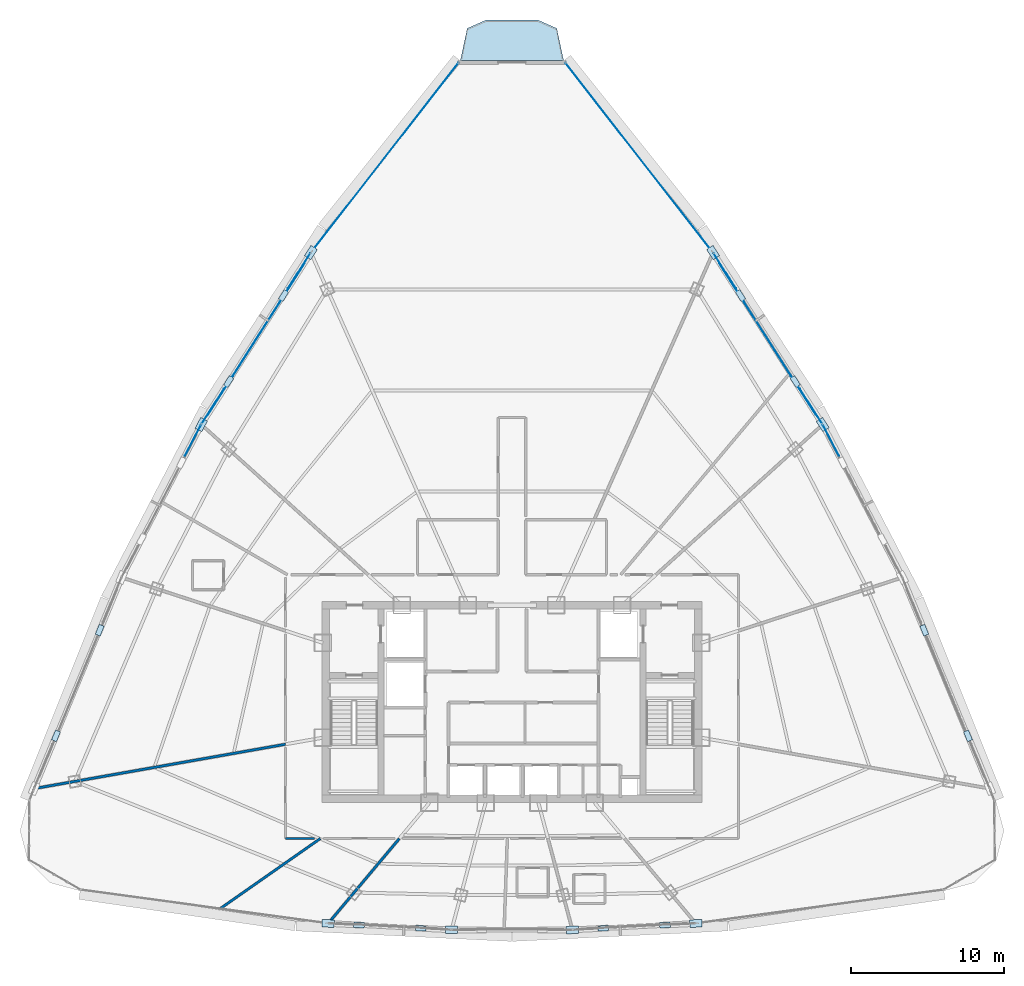
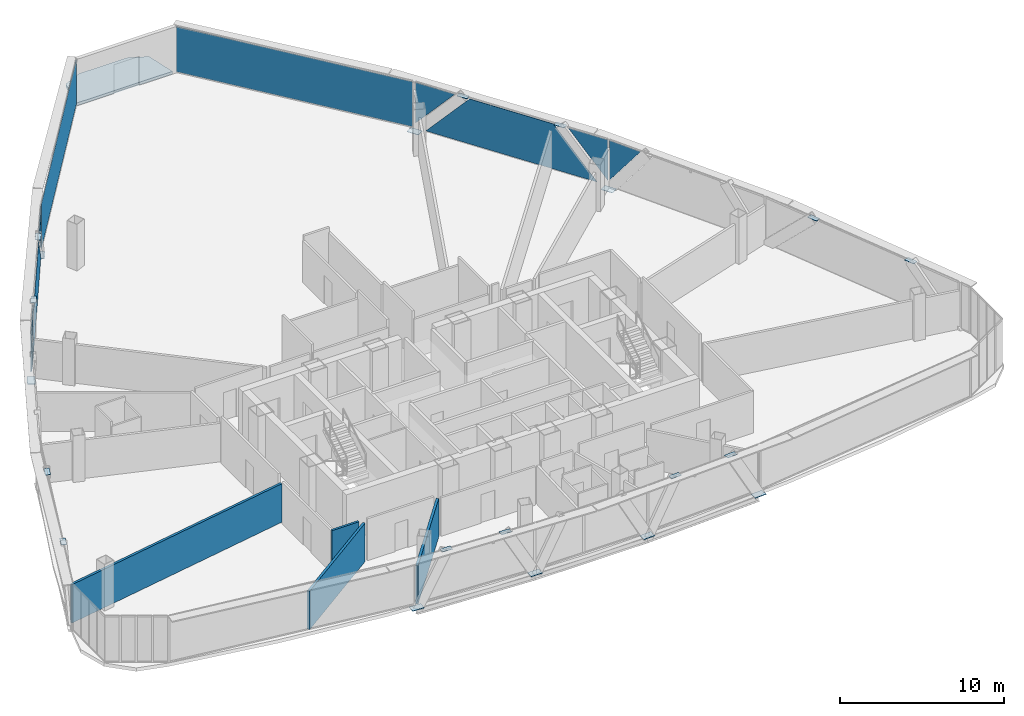
# One storey, part 33 of 40: 30 plates, 4 walls, 1 slab, 6 elements without a shape of their own.
"""IFC4 building model written with IfcOpenShell, lengths in metres."""

import ifcopenshell
import ifcopenshell.guid

model = None  # the IFC model being written
_history = None  # IfcOwnerHistory: only IFC2X3 demands one
_inside = {}  # id of a spatial element -> (the spatial element, [elements in it])
_under = {}  # id of a project, library or spatial element -> (it, [spatial elements below it])
_declared = {}  # id of a project -> (the project, [libraries it declares])
_typed = {}  # id of a type object -> (the type object, [elements of that type])
_made_of = {}  # id of a material, layer set ... -> (it, [elements and type objects made of it])


def new_model(schema):
    """Start an empty IFC model of exactly this schema.

    Asked for "IFC4X3", IfcOpenShell would pick the latest addendum, in which some entities
    have other attributes; the version numbers below select the first issue.
    IFC2X3 requires an IfcOwnerHistory on every rooted entity: one is made here for all.
    """
    global model, _history
    if schema == "IFC4X3":
        model = ifcopenshell.file(schema_version=(4, 3, 0, 0))
    else:
        model = ifcopenshell.file(schema=schema)
    _inside.clear()
    _under.clear()
    _declared.clear()
    _typed.clear()
    _made_of.clear()
    _history = None
    if model.schema == "IFC2X3":
        org = make("IfcOrganization", Name="unknown")
        user = make(
            "IfcPersonAndOrganization",
            ThePerson=make("IfcPerson", FamilyName="unknown"),
            TheOrganization=org,
        )
        app = make(
            "IfcApplication",
            ApplicationDeveloper=org,
            Version="unknown",
            ApplicationFullName="unknown",
            ApplicationIdentifier="unknown",
        )
        _history = make(
            "IfcOwnerHistory",
            OwningUser=user,
            OwningApplication=app,
            ChangeAction="ADDED",
            CreationDate=0,
        )
    return model


def make(cls, **values):
    """One entity of the class cls with the attributes given. An attribute that is None is left unset."""
    return model.create_entity(
        cls, **{name: value for name, value in values.items() if value is not None}
    )


def rooted(cls, **values):
    """An entity with a GlobalId (a new one), such as an element, a storey or a relation."""
    return make(cls, GlobalId=ifcopenshell.guid.new(), OwnerHistory=_history, **values)


def si_unit(unit_type, name, prefix=None):
    """IfcSIUnit, for example si_unit("LENGTHUNIT", "METRE", prefix="MILLI")."""
    return make("IfcSIUnit", UnitType=unit_type, Prefix=prefix, Name=name)


def assignment(units):
    """IfcUnitAssignment: the units of a project."""
    return None if units is None else make("IfcUnitAssignment", Units=units)


def point(xyz):
    """IfcCartesianPoint."""
    return None if xyz is None else make("IfcCartesianPoint", Coordinates=xyz)


def direction(xyz):
    """IfcDirection."""
    return None if xyz is None else make("IfcDirection", DirectionRatios=xyz)


def frame(location, z_axis=None, x_axis=None):
    """IfcAxis2Placement3D, a coordinate frame: its origin and axes. An axis left out is left unset."""
    return make(
        "IfcAxis2Placement3D",
        Location=point(location),
        Axis=direction(z_axis),
        RefDirection=direction(x_axis),
    )


def frame_2d(location, x_axis=None):
    """IfcAxis2Placement2D, a coordinate frame in the plane: its origin and x axis."""
    return make(
        "IfcAxis2Placement2D", Location=point(location), RefDirection=direction(x_axis)
    )


def origin():
    """The frame at (0, 0, 0) with its axes left unset."""
    return frame((0.0, 0.0, 0.0))


def origin_2d():
    """The frame at (0, 0) in the plane with its x axis left unset."""
    return frame_2d((0.0, 0.0))


def place(relative_to, where):
    """IfcLocalPlacement: puts the frame where relative to a parent placement (None: the world)."""
    return make(
        "IfcLocalPlacement", PlacementRelTo=relative_to, RelativePlacement=where
    )


def context(
    kind, dimensions, precision=None, world=None, true_north=None, identifier=None
):
    """IfcGeometricRepresentationContext, for example the 3D "Model" context."""
    return make(
        "IfcGeometricRepresentationContext",
        ContextIdentifier=identifier,
        ContextType=kind,
        CoordinateSpaceDimension=dimensions,
        Precision=precision,
        WorldCoordinateSystem=world,
        TrueNorth=true_north,
    )


def subcontext(parent, identifier, kind, view, scale=None):
    """IfcGeometricRepresentationSubContext, for example "Body" below "Model"."""
    return make(
        "IfcGeometricRepresentationSubContext",
        ContextIdentifier=identifier,
        ContextType=kind,
        ParentContext=parent,
        TargetScale=scale,
        TargetView=view,
    )


def project(units=None, contexts=None):
    """IfcProject with its units and contexts."""
    return rooted(
        "IfcProject",
        Name="project",
        RepresentationContexts=contexts,
        UnitsInContext=assignment(units),
    )


def spatial(cls, under=None, at=None, **own):
    """A site, building, storey or space (cls), placed at a placement, below another one or the project."""
    s = rooted(cls, ObjectPlacement=at, **own)
    if under is not None:
        _under.setdefault(under.id(), (under, []))[1].append(s)
    return s


def polyline(points):
    """IfcPolyline through the points."""
    return make("IfcPolyline", Points=[point(p) for p in points])


def profile(cls, at=None, kind="AREA", **sizes):
    """A parametric profile (cls). Its sizes go by their IFC names, for example OverallWidth=200.0."""
    return make(cls, ProfileType=kind, Position=at, **sizes)


def rectangle(**sizes):
    """IfcRectangleProfileDef."""
    return profile("IfcRectangleProfileDef", **sizes)


def outline(outer, holes=None, kind="AREA"):
    """IfcArbitraryClosedProfileDef: a profile drawn as a closed curve; with holes, ...WithVoids."""
    if holes is None:
        return make("IfcArbitraryClosedProfileDef", ProfileType=kind, OuterCurve=outer)
    return make(
        "IfcArbitraryProfileDefWithVoids",
        ProfileType=kind,
        OuterCurve=outer,
        InnerCurves=holes,
    )


def extrude(swept, where, along, depth):
    """IfcExtrudedAreaSolid: the profile swept, set in the frame where, extruded along a direction by depth."""
    return make(
        "IfcExtrudedAreaSolid",
        SweptArea=swept,
        Position=where,
        ExtrudedDirection=direction(along),
        Depth=depth,
    )


def shape(context_of_items, identifier, shape_type, items):
    """IfcShapeRepresentation: the items that make up one representation, for example the "Body"."""
    return make(
        "IfcShapeRepresentation",
        ContextOfItems=context_of_items,
        RepresentationIdentifier=identifier,
        RepresentationType=shape_type,
        Items=items,
    )


def source(mapping_origin, context_of_items, identifier, shape_type, items):
    """IfcRepresentationMap: a shape defined once, which mapped items show again and again."""
    return make(
        "IfcRepresentationMap",
        MappingOrigin=mapping_origin,
        MappedRepresentation=shape(context_of_items, identifier, shape_type, items),
    )


def transform(
    local_origin,
    x_axis=None,
    y_axis=None,
    z_axis=None,
    scale=None,
    scale2=None,
    scale3=None,
    uniform=True,
):
    """IfcCartesianTransformationOperator3D, or its non-uniform kind. x_axis, y_axis, z_axis: its Axis1, 2, 3."""
    if uniform:
        return make(
            "IfcCartesianTransformationOperator3D",
            Axis1=direction(x_axis),
            Axis2=direction(y_axis),
            LocalOrigin=point(local_origin),
            Scale=scale,
            Axis3=direction(z_axis),
        )
    return make(
        "IfcCartesianTransformationOperator3DnonUniform",
        Axis1=direction(x_axis),
        Axis2=direction(y_axis),
        LocalOrigin=point(local_origin),
        Scale=scale,
        Axis3=direction(z_axis),
        Scale2=scale2,
        Scale3=scale3,
    )


def mapped(mapping_source, mapping_target):
    """IfcMappedItem: shows the shape of a source again, moved by a transform."""
    return make(
        "IfcMappedItem", MappingSource=mapping_source, MappingTarget=mapping_target
    )


def material(Name=None, Category=None):
    """IfcMaterial."""
    return make("IfcMaterial", Name=Name, Category=Category)


def layer(
    of_material, thickness, ventilated=None, Name=None, Category=None, Priority=None
):
    """IfcMaterialLayer: one layer of a wall or slab, of a material (None: an air gap)."""
    return make(
        "IfcMaterialLayer",
        Material=of_material,
        LayerThickness=thickness,
        IsVentilated=ventilated,
        Name=Name,
        Category=Category,
        Priority=Priority,
    )


def layer_set(layers, Name=None):
    """IfcMaterialLayerSet."""
    return make("IfcMaterialLayerSet", MaterialLayers=layers, LayerSetName=Name)


def made_of(thing, what):
    """Note that an element or type object is made of a material, layer set ...; save() writes the relation."""
    if what is not None:
        _made_of.setdefault(what.id(), (what, []))[1].append(thing)
    return thing


def type_object(cls, material=None, **own):
    """A type object (cls), such as IfcWallType, which elements share."""
    return made_of(rooted(cls, **own), material)


def element(
    cls,
    number,
    at=None,
    inside=None,
    cuts=None,
    type_object=None,
    material=None,
    context=None,
    identifier="Body",
    shape_type=None,
    held_by="IfcProductDefinitionShape",
    body=None,
    shapes=None,
    **own,
):
    """One element of the class cls, such as IfcWall. Its Tag is "e" and its number.

    at: its placement. inside: the storey or other place that contains it. cuts: it is an
    opening in that element (IfcRelVoidsElement). A single representation is given by context,
    identifier, shape_type and body (its items); several are given by shapes. held_by: the class
    of the entity that holds the representations. save() writes the other relations.
    """
    e = rooted(cls, Tag="e%d" % number, ObjectPlacement=at, **own)
    if body is not None:
        shapes = [shape(context, identifier, shape_type, body)]
    if shapes is not None:
        e.Representation = make(held_by, Representations=shapes)
    if inside is not None:
        _inside.setdefault(inside.id(), (inside, []))[1].append(e)
    if cuts is not None:
        rooted(
            "IfcRelVoidsElement", RelatingBuildingElement=cuts, RelatedOpeningElement=e
        )
    if type_object is not None:
        _typed.setdefault(type_object.id(), (type_object, []))[1].append(e)
    return made_of(e, material)


def aggregate(whole, parts):
    """IfcRelAggregates: a whole, such as a stair, and the parts it consists of."""
    return rooted("IfcRelAggregates", RelatingObject=whole, RelatedObjects=parts)


def save(model, path):
    """Write the relations noted so far, then the file.

    IfcRelAggregates (storeys below a building ...), IfcRelContainedInSpatialStructure (elements
    in a storey), IfcRelDefinesByType, IfcRelAssociatesMaterial and IfcRelDeclares: one each for
    every whole, place, type object, material and project.
    """
    for whole, parts in _under.values():
        aggregate(whole, parts)
    for where, things in _inside.values():
        rooted(
            "IfcRelContainedInSpatialStructure",
            RelatedElements=things,
            RelatingStructure=where,
        )
    for kind, things in _typed.values():
        rooted("IfcRelDefinesByType", RelatedObjects=things, RelatingType=kind)
    for what, things in _made_of.values():
        rooted("IfcRelAssociatesMaterial", RelatedObjects=things, RelatingMaterial=what)
    for by, libraries in _declared.values():
        rooted("IfcRelDeclares", RelatingContext=by, RelatedDefinitions=libraries)
    model.write(path)


model = new_model("IFC4")

# Units and contexts
model_context = context("Model", 3, precision=1e-05, world=origin(), true_north=direction((0.0, 1.0)))
body_context = subcontext(model_context, "Body", "Model", "MODEL_VIEW")
ifc_project = project(units=[si_unit("LENGTHUNIT", "METRE"), si_unit("AREAUNIT", "SQUARE_METRE"), si_unit("VOLUMEUNIT", "CUBIC_METRE"), si_unit("PLANEANGLEUNIT", "RADIAN"), si_unit("MASSUNIT", "GRAM", prefix="KILO"), si_unit("THERMODYNAMICTEMPERATUREUNIT", "KELVIN"), si_unit("POWERUNIT", "WATT")], contexts=[model_context])

# Site, building, storey
site_placement = place(None, origin())
site = spatial("IfcSite", under=ifc_project, at=site_placement, CompositionType="ELEMENT")
building_placement = place(site_placement, origin())
building = spatial("IfcBuilding", under=site, at=building_placement, Name="Yunzhuo Pagoda Commons", CompositionType="ELEMENT")
storey_placement = place(building_placement, frame((0.0, 0.0, 288.75)))
storey = spatial("IfcBuildingStorey", under=building, at=storey_placement, Name="L72", CompositionType="ELEMENT", Elevation=288.75)

# Curtain wall, plate
ifc_material_1 = material(Name="Anodized aluminium 6063-T6", Category="aluminium")
ifc_layer_1 = layer(ifc_material_1, 0.139892578125)
ifc_layer_set_1 = layer_set([ifc_layer_1], Name="Anodized aluminium 6063-T6")
curtain_wall_type = type_object("IfcCurtainWallType", Name="CW-HI High-Zone Ribbon Curtain Wall", PredefinedType="NOTDEFINED", material=ifc_layer_set_1)
curtain_wall_1_placement = place(storey_placement, origin())
curtain_wall_1 = element("IfcCurtainWall", 1, at=curtain_wall_1_placement, inside=storey, type_object=curtain_wall_type, Name="L72 curtain wall CW-L72-F2B3", PredefinedType="NOTDEFINED")
ifc_material_2 = material(Name="Tempered low-e double glazing", Category="glass")
ifc_layer_2 = layer(ifc_material_2, 0.02587890625)
ifc_layer_set_2 = layer_set([ifc_layer_2], Name="Tempered low-e double glazing")
plate_type_1 = type_object("IfcPlateType", Name="CW-HI-P Low-E Double Glazing 26", PredefinedType="CURTAIN_PANEL", material=ifc_layer_set_2)
plate_1_placement = place(storey_placement, frame((68.90771484375, 50.9873046875, 1.931640625), z_axis=(0.886761092291, 0.462228044582, 0.0), x_axis=(-0.462228044582, 0.886761092291, 0.0)))
plate_1 = element("IfcPlate", 2, at=plate_1_placement, type_object=plate_type_1, Name="CW panel 1.1 lite 3", PredefinedType="CURTAIN_PANEL", context=body_context, shape_type="SweptSolid", body=[
    extrude(outline(polyline([(-1.1240234375, 1.4833984375), (1.1240234375, -1.4833984375), (1.1240234375, 1.4833984375), (-1.1240234375, 1.4833984375)])), origin(), (0.0, 0.0, 1.0), 0.028076171875),
])
aggregate(curtain_wall_1, [plate_1])

# Curtain wall, plates
curtain_wall_2_placement = place(storey_placement, origin())
curtain_wall_2 = element("IfcCurtainWall", 3, at=curtain_wall_2_placement, inside=storey, type_object=curtain_wall_type, Name="L72 curtain wall CW-L72-F2B4", PredefinedType="NOTDEFINED")
plate_2_placement = place(storey_placement, frame((67.59716796875, 53.235107421875, 1.895751953125), z_axis=(0.84332965014, 0.537396595816, 0.0), x_axis=(-0.537396595816, 0.84332965014, 0.0)))
plate_2 = element("IfcPlate", 4, at=plate_2_placement, type_object=plate_type_1, Name="CW panel 1.1 lite 1", PredefinedType="CURTAIN_PANEL", context=body_context, shape_type="SweptSolid", body=[
    extrude(outline(polyline([(-1.361572265625, -1.519287109375), (1.361572265625, 1.519287109375), (-1.361572265625, 1.519287109375), (-1.361572265625, -1.519287109375)])), origin(), (0.0, 0.0, 1.0), 0.028076171875),
])
plate_3_placement = place(storey_placement, frame((64.7431640625, 57.657958984375, 1.735107421875), z_axis=(0.84332965014, 0.537396595816, 0.0), x_axis=(-0.537396595816, 0.84332965014, 0.0)))
plate_3 = element("IfcPlate", 5, at=plate_3_placement, type_object=plate_type_1, Name="CW panel 1.1 lite 2", PredefinedType="CURTAIN_PANEL", context=body_context, shape_type="SweptSolid", body=[
    extrude(outline(polyline([(-5.892578125, -1.679931640625), (5.892578125, -1.679931640625), (2.881591796875, 1.679931640625), (-2.881591796875, 1.679931640625), (-5.892578125, -1.679931640625)])), origin(), (0.0, 0.0, 1.0), 0.028076171875),
])
plate_4_placement = place(storey_placement, frame((61.939697265625, 62.11328125, 1.895751953125), z_axis=(0.84332965014, 0.537396595816, 0.0), x_axis=(-0.537396595816, 0.84332965014, 0.0)))
plate_4 = element("IfcPlate", 6, at=plate_4_placement, type_object=plate_type_1, Name="CW panel 1.1 lite 3", PredefinedType="CURTAIN_PANEL", context=body_context, shape_type="SweptSolid", body=[
    extrude(outline(polyline([(-1.361572265625, 1.519287109375), (1.361572265625, -1.519287109375), (1.361572265625, 1.519287109375), (-1.361572265625, 1.519287109375)])), origin(), (0.0, 0.0, 1.0), 0.028076171875),
])
aggregate(curtain_wall_2, [plate_2, plate_3, plate_4])

curtain_wall_3_placement = place(storey_placement, origin())
curtain_wall_3 = element("IfcCurtainWall", 7, at=curtain_wall_3_placement, inside=storey, type_object=curtain_wall_type, Name="L72 curtain wall CW-L72-F3B2", PredefinedType="NOTDEFINED")
plate_5_placement = place(storey_placement, frame((34.060302734375, 62.11328125, 1.895751953125), z_axis=(-0.84332965014, 0.537396595816, 0.0), x_axis=(-0.537396595816, -0.84332965014, 0.0)))
plate_5 = element("IfcPlate", 8, at=plate_5_placement, type_object=plate_type_1, Name="CW panel 1.1 lite 1", PredefinedType="CURTAIN_PANEL", context=body_context, shape_type="SweptSolid", body=[
    extrude(outline(polyline([(-1.361572265625, -1.519287109375), (1.361572265625, 1.519287109375), (-1.361572265625, 1.519287109375), (-1.361572265625, -1.519287109375)])), origin(), (0.0, 0.0, 1.0), 0.028076171875),
])
plate_6_placement = place(storey_placement, frame((31.2568359375, 57.657958984375, 1.735107421875), z_axis=(-0.84332965014, 0.537396595816, 0.0), x_axis=(-0.537396595816, -0.84332965014, 0.0)))
plate_6 = element("IfcPlate", 9, at=plate_6_placement, type_object=plate_type_1, Name="CW panel 1.1 lite 2", PredefinedType="CURTAIN_PANEL", context=body_context, shape_type="SweptSolid", body=[
    extrude(outline(polyline([(-5.892578125, -1.679931640625), (5.892578125, -1.679931640625), (2.881591796875, 1.679931640625), (-2.881591796875, 1.679931640625), (-5.892578125, -1.679931640625)])), origin(), (0.0, 0.0, 1.0), 0.028076171875),
])
plate_7_placement = place(storey_placement, frame((28.40283203125, 53.235107421875, 1.895751953125), z_axis=(-0.84332965014, 0.537396595816, 0.0), x_axis=(-0.537396595816, -0.84332965014, 0.0)))
plate_7 = element("IfcPlate", 10, at=plate_7_placement, type_object=plate_type_1, Name="CW panel 1.1 lite 3", PredefinedType="CURTAIN_PANEL", context=body_context, shape_type="SweptSolid", body=[
    extrude(outline(polyline([(-1.361572265625, 1.519287109375), (1.361572265625, -1.519287109375), (1.361572265625, 1.519287109375), (-1.361572265625, 1.519287109375)])), origin(), (0.0, 0.0, 1.0), 0.028076171875),
])
aggregate(curtain_wall_3, [plate_5, plate_6, plate_7])

# Curtain wall, plate
curtain_wall_4_placement = place(storey_placement, origin())
curtain_wall_4 = element("IfcCurtainWall", 11, at=curtain_wall_4_placement, inside=storey, type_object=curtain_wall_type, Name="L72 curtain wall CW-L72-F3B3", PredefinedType="NOTDEFINED")
plate_8_placement = place(storey_placement, frame((27.09228515625, 50.9873046875, 1.931640625), z_axis=(-0.886761092291, 0.462228044582, 0.0), x_axis=(-0.462228044582, -0.886761092291, 0.0)))
plate_8 = element("IfcPlate", 12, at=plate_8_placement, type_object=plate_type_1, Name="CW panel 1.1 lite 1", PredefinedType="CURTAIN_PANEL", context=body_context, shape_type="SweptSolid", body=[
    extrude(outline(polyline([(-1.1240234375, -1.4833984375), (1.1240234375, 1.4833984375), (-1.1240234375, 1.4833984375), (-1.1240234375, -1.4833984375)])), origin(), (0.0, 0.0, 1.0), 0.028076171875),
])
aggregate(curtain_wall_4, [plate_8])

# Slab
ifc_material_3 = material(Name="Concrete C40", Category="concrete")
ifc_layer_3 = layer(ifc_material_3, 0.199951171875)
ifc_layer_set_3 = layer_set([ifc_layer_3], Name="Concrete C40")
slab_type = type_object("IfcSlabType", Name="SL-BAL Vertex Balcony Deck Slab 200", PredefinedType="FLOOR", material=ifc_layer_set_3)
slab_placement = place(storey_placement, frame((0.0, 0.0, -0.199951171875)))
element("IfcSlab", 13, at=slab_placement, inside=storey, type_object=slab_type, Name="L72 corner balcony V3", PredefinedType="FLOOR", context=body_context, shape_type="SweptSolid", body=[
    extrude(outline(polyline([(51.385009765625, 75.92529296875), (44.614990234375, 75.92529296875), (45.06494140625, 78.020263671875), (46.3076171875, 78.5703125), (49.6923828125, 78.5703125), (50.93505859375, 78.020263671875), (51.385009765625, 75.92529296875)])), origin(), (0.0, 0.0, 1.0), 0.199951171875),
])

# Plates
ifc_material_4 = material(Name="Structural steel Q355B", Category="steel")
ifc_layer_4 = layer(ifc_material_4, 0.028076171875)
ifc_layer_set_4 = layer_set([ifc_layer_4], Name="Structural steel Q355B")
plate_type_2 = type_object("IfcPlateType", Name="SP-ND1 Lattice Node Cap Plate 800x500x28", PredefinedType="USERDEFINED", material=ifc_layer_set_4)
shared_shape_1 = source(origin(), body_context, "Body", "SweptSolid", [
    extrude(rectangle(XDim=0.800048828125, YDim=0.5, at=origin_2d()), origin(), (0.0, 0.0, 1.0), 0.028076171875),
])
for number, where, z_axis, x_axis, name in (
    (14, (35.945068359375, 19.33349609375, -0.27392578125), (0.0, 0.0, 1.0), (0.998636832498, -0.052196520746, 0.0), "L72 diamond node plate F1.1A"),
    (15, (44.037109375, 18.91064453125, -0.27392578125), (0.0, 0.0, 1.0), (1.0, 0.0, 0.0), "L72 diamond node plate F1.2A"),
    (16, (51.962890625, 18.91064453125, -0.27392578125), (0.0, 0.0, 1.0), (0.998636832498, 0.052196520746, 0.0), "L72 diamond node plate F1.3A"),
    (17, (60.054931640625, 19.33349609375, -0.27392578125), (0.0, 0.0, 1.0), (0.998636832498, 0.052196520746, 0.0), "L72 diamond node plate F1.3B"),
    (18, (68.372802734375, 52.043701171875, -0.27392578125), (0.0, 0.0, 1.0), (-0.53740264404, 0.843325795988, 0.0), "L72 diamond node plate F2.3A"),
    (19, (61.1875, 63.319580078125, -0.27392578125), (0.0, 0.0, 1.0), (-0.53740264404, 0.843325795988, 0.0), "L72 diamond node plate F2.3B"),
    (20, (34.8125, 63.319580078125, -0.27392578125), (0.0, 0.0, 1.0), (-0.53740264404, -0.843325795988, 0.0), "L72 diamond node plate F3.1A"),
    (21, (27.627197265625, 52.043701171875, -0.27392578125), (0.0, 0.0, 1.0), (-0.462228464672, -0.886760873318, 0.0), "L72 diamond node plate F3.2A"),
):
    element("IfcPlate", number, at=place(storey_placement, frame(where, z_axis=z_axis, x_axis=x_axis)), inside=storey, type_object=plate_type_2, Name=name, ObjectType="STIFFENER_PLATE", PredefinedType="USERDEFINED", context=body_context, shape_type="MappedRepresentation", body=[
        mapped(shared_shape_1, transform((0.0, 0.0, 0.0), scale=1.0)),
    ])
shared_shape_2 = source(origin(), body_context, "Body", "SweptSolid", [
    extrude(rectangle(XDim=0.699951171875, YDim=0.35009765625, at=origin_2d()), origin(), (0.0, 0.0, 1.0), 0.035888671875),
])
for number, where, z_axis, x_axis, name in (
    (22, (37.968017578125, 19.227783203125, 3.43212890625), (0.0, 0.0, 1.0), (0.998636832498, -0.052196520746, 0.0), "L72 setback lattice tie plate F1.1L"),
    (23, (42.01416015625, 19.016357421875, 3.43212890625), (0.0, 0.0, 1.0), (0.998636832498, -0.052196520746, 0.0), "L72 setback lattice tie plate F1.1R"),
    (24, (53.98583984375, 19.016357421875, 3.43212890625), (0.0, 0.0, 1.0), (0.998636832498, 0.052196520746, 0.0), "L72 setback lattice tie plate F1.3L"),
    (25, (58.031982421875, 19.227783203125, 3.43212890625), (0.0, 0.0, 1.0), (0.998636832498, 0.052196520746, 0.0), "L72 setback lattice tie plate F1.3R"),
    (26, (77.898681640625, 31.635986328125, 3.43212890625), (0.0, 0.0, 1.0), (-0.382635057621, 0.923899568503, 0.0), "L72 setback lattice tie plate F2.1L"),
    (27, (75.0322265625, 38.55712890625, 3.43212890625), (0.0, 0.0, 1.0), (-0.382635057621, 0.923899568503, 0.0), "L72 setback lattice tie plate F2.1R"),
    (28, (66.576416015625, 54.86279296875, 3.43212890625), (0.0, 0.0, 1.0), (-0.53740264404, 0.843325795988, 0.0), "L72 setback lattice tie plate F2.3L"),
    (29, (62.98388671875, 60.500732421875, 3.43212890625), (0.0, 0.0, 1.0), (-0.53740264404, 0.843325795988, 0.0), "L72 setback lattice tie plate F2.3R"),
    (30, (33.01611328125, 60.500732421875, 3.43212890625), (0.0, 0.0, 1.0), (-0.53740264404, -0.843325795988, 0.0), "L72 setback lattice tie plate F3.1L"),
    (31, (29.423583984375, 54.86279296875, 3.43212890625), (0.0, 0.0, 1.0), (-0.53740264404, -0.843325795988, 0.0), "L72 setback lattice tie plate F3.1R"),
    (32, (20.9677734375, 38.55712890625, 3.43212890625), (0.0, 0.0, 1.0), (-0.382635057621, -0.923899568503, 0.0), "L72 setback lattice tie plate F3.3L"),
    (33, (18.101318359375, 31.635986328125, 3.43212890625), (0.0, 0.0, 1.0), (-0.382635057621, -0.923899568503, 0.0), "L72 setback lattice tie plate F3.3R"),
):
    element("IfcPlate", number, at=place(storey_placement, frame(where, z_axis=z_axis, x_axis=x_axis)), inside=storey, type_object=plate_type_2, Name=name, ObjectType="STIFFENER_PLATE", PredefinedType="USERDEFINED", context=body_context, shape_type="MappedRepresentation", body=[
        mapped(shared_shape_2, transform((0.0, 0.0, 0.0), scale=1.0)),
    ])

# Curtain wall, plate
curtain_wall_5_placement = place(storey_placement, origin())
curtain_wall_5 = element("IfcCurtainWall", 34, at=curtain_wall_5_placement, inside=storey, type_object=curtain_wall_type, Name="L72 curtain wall CW-L72-F2B5", PredefinedType="NOTDEFINED")
shared_shape_3 = source(origin(), body_context, "Body", "SweptSolid", [
    extrude(rectangle(XDim=15.6083984375, YDim=0.028076171875, at=origin_2d()), origin(), (0.0, 0.0, 1.0), 3.360107421875),
])
plate_9_placement = place(storey_placement, frame((56.310791015625, 69.58447265625, 0.05517578125), z_axis=(0.0, 0.0, 1.0), x_axis=(-0.614261000482, 0.789102923127, 0.0)))
plate_9 = element("IfcPlate", 35, at=plate_9_placement, type_object=plate_type_1, Name="CW panel 1.1", PredefinedType="CURTAIN_PANEL", context=body_context, shape_type="MappedRepresentation", body=[
    mapped(shared_shape_3, transform((0.0, 0.0, 0.0), scale=1.0)),
])
aggregate(curtain_wall_5, [plate_9])

curtain_wall_6_placement = place(storey_placement, origin())
curtain_wall_6 = element("IfcCurtainWall", 36, at=curtain_wall_6_placement, inside=storey, type_object=curtain_wall_type, Name="L72 curtain wall CW-L72-F3B1", PredefinedType="NOTDEFINED")
plate_10_placement = place(storey_placement, frame((39.689208984375, 69.58447265625, 0.05517578125), z_axis=(0.0, 0.0, 1.0), x_axis=(-0.614261000482, -0.789102923127, 0.0)))
plate_10 = element("IfcPlate", 37, at=plate_10_placement, type_object=plate_type_1, Name="CW panel 1.1", PredefinedType="CURTAIN_PANEL", context=body_context, shape_type="MappedRepresentation", body=[
    mapped(shared_shape_3, transform((0.0, 0.0, 0.0), scale=1.0)),
])
aggregate(curtain_wall_6, [plate_10])

# Walls
ifc_material_5 = material(Name="Gypsum plasterboard on acoustic stud")
ifc_layer_5 = layer(ifc_material_5, 0.14990234375)
ifc_layer_set_5 = layer_set([ifc_layer_5], Name="Gypsum plasterboard on acoustic stud")
wall_type_1 = type_object("IfcWallType", Name="W-COR3 High-Zone Rated Corridor Wall 150", PredefinedType="PARTITIONING", material=ifc_layer_set_5)
wall_1_placement = place(storey_placement, frame((35.048583984375, 24.89990234375, 0.0), z_axis=(0.0, 0.0, 1.0), x_axis=(-1.0, 0.0, 0.0)))
element("IfcWall", 38, at=wall_1_placement, inside=storey, type_object=wall_type_1, Name="L72 interior wall IW-L72-CWL20", PredefinedType="PARTITIONING", context=body_context, shape_type="SweptSolid", body=[
    extrude(rectangle(XDim=1.898681640625, YDim=0.14990234375, at=frame_2d((0.94921875, 0.0))), origin(), (0.0, 0.0, 1.0), 3.1201171875),
])
ifc_layer_6 = layer(ifc_material_5, 0.169921875)
ifc_layer_set_6 = layer_set([ifc_layer_6], Name="Gypsum plasterboard on acoustic stud")
wall_type_2 = type_object("IfcWallType", Name="W-PRT4 High-Zone Demising Wall 170", PredefinedType="PARTITIONING", material=ifc_layer_set_6)
wall_2_placement = place(storey_placement, frame((33.14990234375, 31.08154296875, 0.0), z_axis=(0.0, 0.0, 1.0), x_axis=(-0.984806900178, -0.173653014261, 0.0)))
element("IfcWall", 39, at=wall_2_placement, inside=storey, type_object=wall_type_2, Name="L72 interior wall IW-L72-RAD08", PredefinedType="PARTITIONING", context=body_context, shape_type="SweptSolid", body=[
    extrude(rectangle(XDim=16.73583984375, YDim=0.169921875, at=frame_2d((8.367919921875, 0.0))), origin(), (0.0, 0.0, 1.0), 2.8701171875),
])
wall_3_placement = place(storey_placement, frame((35.432373046875, 24.89990234375, 0.0), z_axis=(0.0, 0.0, 1.0), x_axis=(-0.819164697245, -0.573558365632, 0.0)))
element("IfcWall", 40, at=wall_3_placement, inside=storey, type_object=wall_type_2, Name="L72 interior wall IW-L72-RAD09", PredefinedType="PARTITIONING", context=body_context, shape_type="SweptSolid", body=[
    extrude(rectangle(XDim=8.019775390625, YDim=0.169921875, at=frame_2d((4.009765625, 0.0))), origin(), (0.0, 0.0, 1.0), 2.8701171875),
])
wall_4_placement = place(storey_placement, frame((40.615966796875, 24.89990234375, 0.0), z_axis=(0.0, 0.0, 1.0), x_axis=(-0.642798027821, -0.766035701146, 0.0)))
element("IfcWall", 41, at=wall_4_placement, inside=storey, type_object=wall_type_2, Name="L72 interior wall IW-L72-RAD10", PredefinedType="PARTITIONING", context=body_context, shape_type="SweptSolid", body=[
    extrude(rectangle(XDim=7.2666015625, YDim=0.169921875, at=frame_2d((3.63330078125, 0.0))), origin(), (0.0, 0.0, 1.0), 2.8701171875),
])

save(model, "model.ifc")
